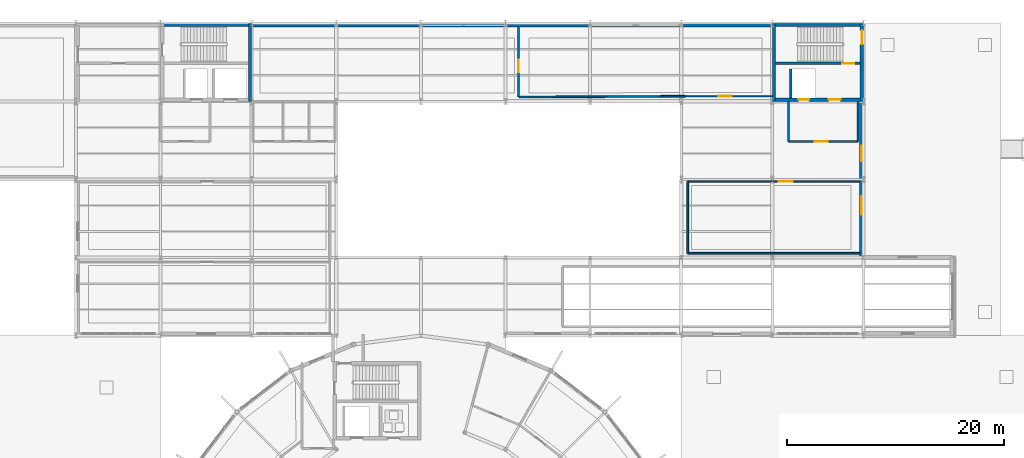
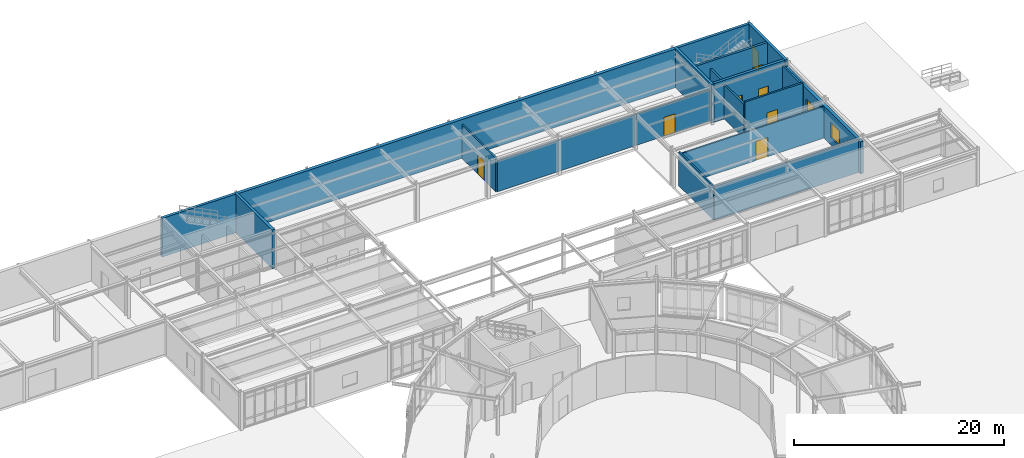
# One storey, part 87 of 101: 19 walls, 8 doors, 2 windows, 10 openings.
"""IFC4 building model written with IfcOpenShell, lengths in metres."""

from ifc_helpers import new_model, si_unit, derived_unit, direction, frame, frame_2d, origin, place, context, subcontext, project, spatial, rectangle, extrude, material, layer, layer_set, type_object, element, fill, save


model = new_model("IFC4")

# Units and contexts
model_context = context("Model", 3, precision=1e-05, world=origin(), true_north=direction((0.0, 1.0)))
body_context = subcontext(model_context, "Body", "Model", "MODEL_VIEW")
ifc_project = project(units=[si_unit("LENGTHUNIT", "METRE"), si_unit("AREAUNIT", "SQUARE_METRE"), si_unit("VOLUMEUNIT", "CUBIC_METRE"), si_unit("PLANEANGLEUNIT", "RADIAN"), si_unit("MASSUNIT", "GRAM", prefix="KILO"), derived_unit("THERMALTRANSMITTANCEUNIT", [(si_unit("POWERUNIT", "WATT"), 1), (si_unit("AREAUNIT", "SQUARE_METRE"), -1), (si_unit("THERMODYNAMICTEMPERATUREUNIT", "KELVIN"), -1)])], contexts=[model_context])

# Site, building, storey
site_placement = place(None, origin())
site = spatial("IfcSite", under=ifc_project, at=site_placement, CompositionType="ELEMENT")
building_placement = place(site_placement, origin())
building = spatial("IfcBuilding", under=site, at=building_placement, Name="Yasenodar Specialist Clinic", CompositionType="ELEMENT")
storey_placement = place(building_placement, origin())
storey = spatial("IfcBuildingStorey", under=building, at=storey_placement, Name="L00", CompositionType="ELEMENT", Elevation=0.0)

# Wall, openings, windows
ifc_material_1 = material(Name="Buff Architectural Terracotta Rainscreen", Category="masonry")
ifc_layer_1 = layer(ifc_material_1, 0.340087890625)
ifc_layer_set_1 = layer_set([ifc_layer_1], Name="Buff Architectural Terracotta Rainscreen")
wall_type_1 = type_object("IfcWallType", Name="EW-TERR-340", PredefinedType="SOLIDWALL", material=ifc_layer_set_1)
wall_1_placement = place(storey_placement, frame((121.6298828125, 104.39990234375, 0.0), z_axis=(0.0, 0.0, 1.0), x_axis=(0.0, -1.0, 0.0)))
wall_1 = element("IfcWall", 1, at=wall_1_placement, inside=storey, type_object=wall_type_1, Name="L00 Exterior Facade Wall 0166", PredefinedType="SOLIDWALL", context=body_context, shape_type="SweptSolid", body=[
    extrude(rectangle(XDim=14.39990234375, YDim=0.340087890625, at=frame_2d((7.199951171875, 0.0))), origin(), (0.0, 0.0, 1.0), 3.72802734375),
])
opening_1_placement = place(wall_1_placement, frame((4.10009765625, 0.0, 0.85009765625)))
opening_1 = element("IfcOpeningElement", 2, at=opening_1_placement, cuts=wall_1, Name="Opening W-11", PredefinedType="OPENING", context=body_context, shape_type="SweptSolid", body=[
    extrude(rectangle(XDim=1.39990234375, YDim=1.64990234375, at=frame_2d((0.699951171875, 0.824951171875))), frame((0.0, 0.18017578125, 0.0), z_axis=(0.0, -1.0, 0.0), x_axis=(1.0, 0.0, 0.0)), (0.0, 0.0, 1.0), 0.360107421875),
])
opening_2_placement = place(wall_1_placement, frame((8.75, 0.0, 0.85009765625)))
opening_2 = element("IfcOpeningElement", 3, at=opening_2_placement, cuts=wall_1, Name="Opening W-12", PredefinedType="OPENING", context=body_context, shape_type="SweptSolid", body=[
    extrude(rectangle(XDim=1.699951171875, YDim=1.75, at=frame_2d((0.85009765625, 0.875))), frame((0.0, 0.18017578125, 0.0), z_axis=(0.0, -1.0, 0.0), x_axis=(1.0, 0.0, 0.0)), (0.0, 0.0, 1.0), 0.360107421875),
])
ifc_material_2 = material(Name="Triple Low-E Argon Glazing in Bronze Aluminium Frame", Category="aluminium")
window_type_1 = type_object("IfcWindowType", Name="WIN-EXT-11", PartitioningType="SINGLE_PANEL", PredefinedType="WINDOW", material=ifc_material_2)
window_1_placement = place(opening_1_placement, origin())
window_1 = element("IfcWindow", 4, at=window_1_placement, inside=storey, type_object=window_type_1, Name="L00 Triple-Glazed Reveal Window 0182", OverallHeight=1.64990234375, OverallWidth=1.39990234375, PartitioningType="SINGLE_PANEL", PredefinedType="WINDOW", context=body_context, shape_type="SweptSolid", body=[
    extrude(rectangle(XDim=1.39990234375, YDim=1.64990234375, at=frame_2d((0.699951171875, 0.824951171875))), frame((0.0, 0.030029296875, 0.0), z_axis=(0.0, -1.0, 0.0), x_axis=(1.0, 0.0, 0.0)), (0.0, 0.0, 1.0), 0.06005859375),
])
fill(opening_1, window_1)
window_type_2 = type_object("IfcWindowType", Name="WIN-EXT-12", PartitioningType="SINGLE_PANEL", PredefinedType="WINDOW", material=ifc_material_2)
window_2_placement = place(opening_2_placement, origin())
window_2 = element("IfcWindow", 5, at=window_2_placement, inside=storey, type_object=window_type_2, Name="L00 Triple-Glazed Reveal Window 0183", OverallHeight=1.75, OverallWidth=1.699951171875, PartitioningType="SINGLE_PANEL", PredefinedType="WINDOW", context=body_context, shape_type="SweptSolid", body=[
    extrude(rectangle(XDim=1.699951171875, YDim=1.75, at=frame_2d((0.85009765625, 0.875))), frame((0.0, 0.030029296875, 0.0), z_axis=(0.0, -1.0, 0.0), x_axis=(1.0, 0.0, 0.0)), (0.0, 0.0, 1.0), 0.06005859375),
])
fill(opening_2, window_2)

# Wall, opening, door
ifc_material_3 = material(Name="Outpatient Examination Partition")
ifc_layer_2 = layer(ifc_material_3, 0.14990234375)
ifc_layer_set_2 = layer_set([ifc_layer_2], Name="Outpatient Examination Partition")
wall_type_2 = type_object("IfcWallType", Name="IW-CONS-150", PredefinedType="PARTITIONING", material=ifc_layer_set_2)
wall_2_placement = place(storey_placement, frame((105.60009765625, 97.0, 0.0), z_axis=(0.0, 0.0, 1.0), x_axis=(1.0, 0.0, 0.0)))
wall_2 = element("IfcWall", 6, at=wall_2_placement, inside=storey, type_object=wall_type_2, Name="L00 Laboratory Specimen Receiving Suite Partition", PredefinedType="PARTITIONING", context=body_context, shape_type="SweptSolid", body=[
    extrude(rectangle(XDim=15.8798828125, YDim=0.14990234375, at=frame_2d((7.93994140625, 0.0))), origin(), (0.0, 0.0, 1.0), 3.677978515625),
])
opening_3_placement = place(wall_2_placement, frame((8.39990234375, 0.0, 0.0)))
opening_3 = element("IfcOpeningElement", 7, at=opening_3_placement, cuts=wall_2, Name="Opening D-08", PredefinedType="OPENING", context=body_context, shape_type="SweptSolid", body=[
    extrude(rectangle(XDim=1.280029296875, YDim=2.219970703125, at=frame_2d((0.64013671875, 1.10986328125))), frame((0.0, 0.0849609375, 0.0), z_axis=(0.0, -1.0, 0.0), x_axis=(1.0, 0.0, 0.0)), (0.0, 0.0, 1.0), 0.169921875),
])
ifc_material_4 = material(Name="Powder-Coated Steel and Acoustic Laminate Leaf", Category="steel")
door_type_1 = type_object("IfcDoorType", Name="DR-CLN-128", OperationType="NOTDEFINED", PredefinedType="DOOR", material=ifc_material_4)
door_1_placement = place(opening_3_placement, origin())
door_1 = element("IfcDoor", 8, at=door_1_placement, inside=storey, type_object=door_type_1, Name="L00 Laboratory Specimen Receiving Suite Door", OperationType="SINGLE_SWING_LEFT", OverallHeight=2.219970703125, OverallWidth=1.280029296875, PredefinedType="DOOR", context=body_context, shape_type="SweptSolid", body=[
    extrude(rectangle(XDim=1.280029296875, YDim=2.219970703125, at=frame_2d((0.64013671875, 1.10986328125))), frame((0.0, 0.02490234375, 0.0), z_axis=(0.0, -1.0, 0.0), x_axis=(1.0, 0.0, 0.0)), (0.0, 0.0, 1.0), 0.050048828125),
])
fill(opening_3, door_1)

# Walls
wall_3_placement = place(storey_placement, frame((105.60009765625, 90.39990234375, 0.0), z_axis=(0.0, 0.0, 1.0), x_axis=(0.0, 1.0, 0.0)))
element("IfcWall", 9, at=wall_3_placement, inside=storey, type_object=wall_type_2, Name="L00 Laboratory Specimen Receiving Suite Partition", PredefinedType="PARTITIONING", context=body_context, shape_type="SweptSolid", body=[
    extrude(rectangle(XDim=6.60009765625, YDim=0.14990234375, at=frame_2d((3.300048828125, 0.0))), origin(), (0.0, 0.0, 1.0), 3.927978515625),
])
wall_4_placement = place(storey_placement, frame((121.47998046875, 90.39990234375, 0.0), z_axis=(0.0, 0.0, 1.0), x_axis=(-1.0, 0.0, 0.0)))
element("IfcWall", 10, at=wall_4_placement, inside=storey, type_object=wall_type_2, Name="L00 Laboratory Specimen Receiving Suite Partition", PredefinedType="PARTITIONING", context=body_context, shape_type="SweptSolid", body=[
    extrude(rectangle(XDim=15.8798828125, YDim=0.14990234375, at=frame_2d((7.93994140625, 0.0))), origin(), (0.0, 0.0, 1.0), 3.93798828125),
])

# Wall, opening, door
ifc_material_5 = material(Name="Acoustic Double-Gypsum Consulting Partition")
ifc_layer_3 = layer(ifc_material_5, 0.159912109375)
ifc_layer_set_3 = layer_set([ifc_layer_3], Name="Acoustic Double-Gypsum Consulting Partition")
wall_type_3 = type_object("IfcWallType", Name="IW-CONS-160", PredefinedType="PARTITIONING", material=ifc_layer_set_3)
wall_5_placement = place(storey_placement, frame((113.419921875, 104.8701171875, 0.0), z_axis=(0.0, 0.0, 1.0), x_axis=(-1.0, 0.0, 0.0)))
wall_5 = element("IfcWall", 11, at=wall_5_placement, inside=storey, type_object=wall_type_3, Name="L00 Medical Archive and Records Store Partition", PredefinedType="PARTITIONING", context=body_context, shape_type="SweptSolid", body=[
    extrude(rectangle(XDim=8.0400390625, YDim=0.159912109375, at=frame_2d((4.02001953125, 0.0))), origin(), (0.0, 0.0, 1.0), 3.6279296875),
])
opening_4_placement = place(wall_5_placement, frame((3.780029296875, 0.0, 0.0)))
opening_4 = element("IfcOpeningElement", 12, at=opening_4_placement, cuts=wall_5, Name="Opening D-07", PredefinedType="OPENING", context=body_context, shape_type="SweptSolid", body=[
    extrude(rectangle(XDim=1.239990234375, YDim=2.199951171875, at=frame_2d((0.6201171875, 1.10009765625))), frame((0.0, 0.08984375, 0.0), z_axis=(0.0, -1.0, 0.0), x_axis=(1.0, 0.0, 0.0)), (0.0, 0.0, 1.0), 0.179931640625),
])
door_type_2 = type_object("IfcDoorType", Name="DR-CLN-124", OperationType="NOTDEFINED", PredefinedType="DOOR", material=ifc_material_4)
door_2_placement = place(opening_4_placement, origin())
door_2 = element("IfcDoor", 13, at=door_2_placement, inside=storey, type_object=door_type_2, Name="L00 Medical Archive and Records Store Door", OperationType="SINGLE_SWING_RIGHT", OverallHeight=2.199951171875, OverallWidth=1.239990234375, PredefinedType="DOOR", context=body_context, shape_type="SweptSolid", body=[
    extrude(rectangle(XDim=1.239990234375, YDim=2.199951171875, at=frame_2d((0.6201171875, 1.10009765625))), frame((0.0, 0.02490234375, 0.0), z_axis=(0.0, -1.0, 0.0), x_axis=(1.0, 0.0, 0.0)), (0.0, 0.0, 1.0), 0.050048828125),
])
fill(opening_4, door_2)

# Wall
wall_6_placement = place(storey_placement, frame((105.3798828125, 104.8701171875, 0.0), z_axis=(0.0, 0.0, 1.0), x_axis=(-0.99998879208, -0.004734523693, 0.0)))
element("IfcWall", 14, at=wall_6_placement, inside=storey, type_object=wall_type_3, Name="L00 Medical Archive and Records Store Partition", PredefinedType="PARTITIONING", context=body_context, shape_type="SweptSolid", body=[
    extrude(rectangle(XDim=15.315185546875, YDim=0.159912109375, at=frame_2d((7.65771484375, 0.0))), origin(), (0.0, 0.0, 1.0), 3.6279296875),
])

# Wall, opening, door
ifc_material_6 = material(Name="Cleanroom Laboratory Partition")
ifc_layer_4 = layer(ifc_material_6, 0.169921875)
ifc_layer_set_4 = layer_set([ifc_layer_4], Name="Cleanroom Laboratory Partition")
wall_type_4 = type_object("IfcWallType", Name="IW-LAB-170", PredefinedType="PARTITIONING", material=ifc_layer_set_4)
wall_7_placement = place(storey_placement, frame((90.0, 111.27001953125, 0.0), z_axis=(0.0, 0.0, 1.0), x_axis=(0.0, -1.0, 0.0)))
wall_7 = element("IfcWall", 15, at=wall_7_placement, inside=storey, type_object=wall_type_4, Name="L00 Clean Clinical Instrument Store Partition", PredefinedType="PARTITIONING", context=body_context, shape_type="SweptSolid", body=[
    extrude(rectangle(XDim=6.469970703125, YDim=0.169921875, at=frame_2d((3.23486328125, 0.0))), origin(), (0.0, 0.0, 1.0), 3.927978515625),
])
opening_5_placement = place(wall_7_placement, frame((3.02001953125, 0.0, 0.0)))
opening_5 = element("IfcOpeningElement", 16, at=opening_5_placement, cuts=wall_7, Name="Opening D-06", PredefinedType="OPENING", context=body_context, shape_type="SweptSolid", body=[
    extrude(rectangle(XDim=1.179931640625, YDim=2.199951171875, at=frame_2d((0.58984375, 1.10009765625))), frame((0.0, 0.094970703125, 0.0), z_axis=(0.0, -1.0, 0.0), x_axis=(1.0, 0.0, 0.0)), (0.0, 0.0, 1.0), 0.18994140625),
])
door_type_3 = type_object("IfcDoorType", Name="DR-CLN-118", OperationType="NOTDEFINED", PredefinedType="DOOR", material=ifc_material_4)
door_3_placement = place(opening_5_placement, origin())
door_3 = element("IfcDoor", 17, at=door_3_placement, inside=storey, type_object=door_type_3, Name="L00 Clean Clinical Instrument Store Door", OperationType="SINGLE_SWING_LEFT", OverallHeight=2.199951171875, OverallWidth=1.179931640625, PredefinedType="DOOR", context=body_context, shape_type="SweptSolid", body=[
    extrude(rectangle(XDim=1.179931640625, YDim=2.199951171875, at=frame_2d((0.58984375, 1.10009765625))), frame((0.0, 0.02490234375, 0.0), z_axis=(0.0, -1.0, 0.0), x_axis=(1.0, 0.0, 0.0)), (0.0, 0.0, 1.0), 0.050048828125),
])
fill(opening_5, door_3)

ifc_material_7 = material(Name="Fire-Rated Gypsum and Mineral-Wool Wall")
ifc_layer_5 = layer(ifc_material_7, 0.195068359375)
ifc_layer_set_5 = layer_set([ifc_layer_5], Name="Fire-Rated Gypsum and Mineral-Wool Wall")
wall_type_5 = type_object("IfcWallType", Name="IW-LOBBY-195", PredefinedType="PARTITIONING", material=ifc_layer_set_5)
wall_8_placement = place(storey_placement, frame((114.89990234375, 100.699951171875, 0.0), z_axis=(0.0, 0.0, 1.0), x_axis=(1.0, 0.0, 0.0)))
wall_8 = element("IfcWall", 18, at=wall_8_placement, inside=storey, type_object=wall_type_5, Name="L00 C5 Firefighting Lobby South Wall", PredefinedType="PARTITIONING", context=body_context, shape_type="SweptSolid", body=[
    extrude(rectangle(XDim=6.400146484375, YDim=0.195068359375, at=frame_2d((3.2001953125, 0.0))), origin(), (0.0, 0.0, 1.0), 4.22998046875),
])
opening_6_placement = place(wall_8_placement, frame((2.39990234375, 0.0, 0.0)))
opening_6 = element("IfcOpeningElement", 19, at=opening_6_placement, cuts=wall_8, Name="Opening FD-02", PredefinedType="OPENING", context=body_context, shape_type="SweptSolid", body=[
    extrude(rectangle(XDim=1.199951171875, YDim=2.14990234375, at=frame_2d((0.60009765625, 1.074951171875))), frame((0.0, 0.107421875, 0.0), z_axis=(0.0, -1.0, 0.0), x_axis=(1.0, 0.0, 0.0)), (0.0, 0.0, 1.0), 0.215087890625),
])
ifc_material_8 = material(Name="Fire-Rated Insulated Steel Door", Category="steel")
door_type_4 = type_object("IfcDoorType", Name="DR-FD-120", OperationType="NOTDEFINED", PredefinedType="DOOR", material=ifc_material_8)
door_4_placement = place(opening_6_placement, origin())
door_4 = element("IfcDoor", 20, at=door_4_placement, inside=storey, type_object=door_type_4, Name="L00 C5 Firefighting Lobby Door", OperationType="SINGLE_SWING_RIGHT", OverallHeight=2.14990234375, OverallWidth=1.199951171875, PredefinedType="DOOR", context=body_context, shape_type="SweptSolid", body=[
    extrude(rectangle(XDim=1.199951171875, YDim=2.14990234375, at=frame_2d((0.60009765625, 1.074951171875))), frame((0.0, 0.02490234375, 0.0), z_axis=(0.0, -1.0, 0.0), x_axis=(1.0, 0.0, 0.0)), (0.0, 0.0, 1.0), 0.050048828125),
])
fill(opening_6, door_4)

# Walls
for number, where, z_axis, x_axis, name in (
    (21, (121.300048828125, 100.699951171875, 0.0), (0.0, 0.0, 1.0), (0.0, 1.0, 0.0), "L00 C5 Firefighting Lobby East Wall"),
    (22, (114.89990234375, 100.699951171875, 0.0), (0.0, 0.0, 1.0), (0.0, 1.0, 0.0), "L00 C5 Firefighting Lobby West Wall"),
):
    element("IfcWall", number, at=place(storey_placement, frame(where, z_axis=z_axis, x_axis=x_axis)), inside=storey, type_object=wall_type_5, Name=name, PredefinedType="PARTITIONING", context=body_context, shape_type="SweptSolid", body=[
        extrude(rectangle(XDim=3.699951171875, YDim=0.195068359375, at=frame_2d((1.85009765625, 0.0))), origin(), (0.0, 0.0, 1.0), 3.9580078125),
    ])
ifc_material_9 = material(Name="Aerated Concrete Blockwork Fire Shaft Wall", Category="masonry")
ifc_layer_6 = layer(ifc_material_9, 0.205078125)
ifc_layer_set_6 = layer_set([ifc_layer_6], Name="Aerated Concrete Blockwork Fire Shaft Wall")
wall_type_6 = type_object("IfcWallType", Name="IW-SHAFT-205", PredefinedType="PARTITIONING", material=ifc_layer_set_6)
wall_9_placement = place(storey_placement, frame((115.10009765625, 104.699951171875, 0.0), z_axis=(0.0, 0.0, 1.0), x_axis=(0.0, 1.0, 0.0)))
element("IfcWall", 23, at=wall_9_placement, inside=storey, type_object=wall_type_6, Name="L00 LF-08 Lift Shaft Side Wall", PredefinedType="PARTITIONING", context=body_context, shape_type="SweptSolid", body=[
    extrude(rectangle(XDim=2.699951171875, YDim=0.205078125, at=frame_2d((1.35009765625, 0.0))), origin(), (0.0, 0.0, 1.0), 3.9580078125),
])

# Wall, opening, door
ifc_material_10 = material(Name="Concrete C35/45", Category="concrete")
ifc_layer_7 = layer(ifc_material_10, 0.25)
ifc_layer_set_7 = layer_set([ifc_layer_7], Name="Concrete C35/45")
wall_type_7 = type_object("IfcWallType", Name="WL-CORE-250", PredefinedType="SHEAR", material=ifc_layer_set_7)
wall_10_placement = place(storey_placement, frame((113.699951171875, 107.89990234375, 0.0), z_axis=(0.0, 0.0, 1.0), x_axis=(1.0, 0.0, 0.0)))
wall_10 = element("IfcWall", 24, at=wall_10_placement, inside=storey, type_object=wall_type_7, Name="L00 Core C5 Central Spine Wall", PredefinedType="SHEAR", context=body_context, shape_type="SweptSolid", body=[
    extrude(rectangle(XDim=7.800048828125, YDim=0.25, at=frame_2d((3.89990234375, 0.0))), origin(), (0.0, 0.0, 1.0), 4.5),
])
opening_7_placement = place(wall_10_placement, frame((6.14990234375, 0.0, 0.0)))
opening_7 = element("IfcOpeningElement", 25, at=opening_7_placement, cuts=wall_10, Name="Opening FD-01", PredefinedType="OPENING", context=body_context, shape_type="SweptSolid", body=[
    extrude(rectangle(XDim=1.10009765625, YDim=2.14990234375, at=frame_2d((0.550048828125, 1.074951171875))), frame((0.0, 0.135009765625, 0.0), z_axis=(0.0, -1.0, 0.0), x_axis=(1.0, 0.0, 0.0)), (0.0, 0.0, 1.0), 0.27001953125),
])
door_type_5 = type_object("IfcDoorType", Name="DR-FD-110", OperationType="NOTDEFINED", PredefinedType="DOOR", material=ifc_material_8)
door_5_placement = place(opening_7_placement, origin())
door_5 = element("IfcDoor", 26, at=door_5_placement, inside=storey, type_object=door_type_5, Name="L00 ST-05 Protected Stair Door", OperationType="SINGLE_SWING_RIGHT", OverallHeight=2.14990234375, OverallWidth=1.10009765625, PredefinedType="DOOR", context=body_context, shape_type="SweptSolid", body=[
    extrude(rectangle(XDim=1.10009765625, YDim=2.14990234375, at=frame_2d((0.550048828125, 1.074951171875))), frame((0.0, 0.02490234375, 0.0), z_axis=(0.0, -1.0, 0.0), x_axis=(1.0, 0.0, 0.0)), (0.0, 0.0, 1.0), 0.050048828125),
])
fill(opening_7, door_5)

# Walls
ifc_layer_8 = layer(ifc_material_10, 0.300048828125)
ifc_layer_set_8 = layer_set([ifc_layer_8], Name="Concrete C35/45")
wall_type_8 = type_object("IfcWallType", Name="WL-CORE-300", PredefinedType="SHEAR", material=ifc_layer_set_8)
wall_11_placement = place(storey_placement, frame((57.0, 111.449951171875, 0.0), z_axis=(0.0, 0.0, 1.0), x_axis=(1.0, 0.0, 0.0)))
element("IfcWall", 27, at=wall_11_placement, inside=storey, type_object=wall_type_8, Name="L00 Core C4 North Shear Wall", PredefinedType="SHEAR", context=body_context, shape_type="SweptSolid", body=[
    extrude(rectangle(XDim=8.39990234375, YDim=0.300048828125, at=frame_2d((4.199951171875, 0.0))), origin(), (0.0, 0.0, 1.0), 4.5),
])
wall_12_placement = place(storey_placement, frame((65.25, 104.39990234375, 0.0), z_axis=(0.0, 0.0, 1.0), x_axis=(0.0, 1.0, 0.0)))
element("IfcWall", 28, at=wall_12_placement, inside=storey, type_object=wall_type_8, Name="L00 Core C4 East Shear Wall", PredefinedType="SHEAR", context=body_context, shape_type="SweptSolid", body=[
    extrude(rectangle(XDim=7.2001953125, YDim=0.300048828125, at=frame_2d((3.60009765625, 0.0))), origin(), (0.0, 0.0, 1.0), 4.5),
])
wall_13_placement = place(storey_placement, frame((113.39990234375, 111.449951171875, 0.0), z_axis=(0.0, 0.0, 1.0), x_axis=(1.0, 0.0, 0.0)))
element("IfcWall", 29, at=wall_13_placement, inside=storey, type_object=wall_type_8, Name="L00 Core C5 North Shear Wall", PredefinedType="SHEAR", context=body_context, shape_type="SweptSolid", body=[
    extrude(rectangle(XDim=8.400146484375, YDim=0.300048828125, at=frame_2d((4.2001953125, 0.0))), origin(), (0.0, 0.0, 1.0), 4.5),
])

# Wall, openings, doors
wall_14_placement = place(storey_placement, frame((113.39990234375, 104.550048828125, 0.0), z_axis=(0.0, 0.0, 1.0), x_axis=(1.0, 0.0, 0.0)))
wall_14 = element("IfcWall", 30, at=wall_14_placement, inside=storey, type_object=wall_type_8, Name="L00 Core C5 South Shear Wall", PredefinedType="SHEAR", context=body_context, shape_type="SweptSolid", body=[
    extrude(rectangle(XDim=8.400146484375, YDim=0.300048828125, at=frame_2d((4.2001953125, 0.0))), origin(), (0.0, 0.0, 1.0), 4.5),
])
opening_8_placement = place(wall_14_placement, frame((5.199951171875, 0.0, 0.0)))
opening_8 = element("IfcOpeningElement", 31, at=opening_8_placement, cuts=wall_14, Name="Opening FD-01", PredefinedType="OPENING", context=body_context, shape_type="SweptSolid", body=[
    extrude(rectangle(XDim=1.10009765625, YDim=2.14990234375, at=frame_2d((0.550048828125, 1.074951171875))), frame((0.0, 0.16015625, 0.0), z_axis=(0.0, -1.0, 0.0), x_axis=(1.0, 0.0, 0.0)), (0.0, 0.0, 1.0), 0.320068359375),
])
opening_9_placement = place(wall_14_placement, frame((2.39990234375, 0.0, 0.0)))
opening_9 = element("IfcOpeningElement", 32, at=opening_9_placement, cuts=wall_14, Name="Opening LD-01", PredefinedType="OPENING", context=body_context, shape_type="SweptSolid", body=[
    extrude(rectangle(XDim=1.0, YDim=2.10009765625, at=frame_2d((0.5, 1.050048828125))), frame((0.0, 0.16015625, 0.0), z_axis=(0.0, -1.0, 0.0), x_axis=(1.0, 0.0, 0.0)), (0.0, 0.0, 1.0), 0.320068359375),
])
door_6_placement = place(opening_8_placement, origin())
door_6 = element("IfcDoor", 33, at=door_6_placement, inside=storey, type_object=door_type_5, Name="L00 Stair ST-05 Vestibule Door", OperationType="SINGLE_SWING_LEFT", OverallHeight=2.14990234375, OverallWidth=1.10009765625, PredefinedType="DOOR", context=body_context, shape_type="SweptSolid", body=[
    extrude(rectangle(XDim=1.10009765625, YDim=2.14990234375, at=frame_2d((0.550048828125, 1.074951171875))), frame((0.0, 0.02490234375, 0.0), z_axis=(0.0, -1.0, 0.0), x_axis=(1.0, 0.0, 0.0)), (0.0, 0.0, 1.0), 0.050048828125),
])
fill(opening_8, door_6)
door_type_6 = type_object("IfcDoorType", Name="DR-LD-100", OperationType="DOUBLE_DOOR_SLIDING", PredefinedType="DOOR", material=ifc_material_8)
door_7_placement = place(opening_9_placement, origin())
door_7 = element("IfcDoor", 34, at=door_7_placement, inside=storey, type_object=door_type_6, Name="L00 LF-08 Lift Landing Door", OperationType="DOUBLE_DOOR_SLIDING", OverallHeight=2.10009765625, OverallWidth=1.0, PredefinedType="DOOR", context=body_context, shape_type="SweptSolid", body=[
    extrude(rectangle(XDim=1.0, YDim=2.10009765625, at=frame_2d((0.5, 1.050048828125))), frame((0.0, 0.02490234375, 0.0), z_axis=(0.0, -1.0, 0.0), x_axis=(1.0, 0.0, 0.0)), (0.0, 0.0, 1.0), 0.050048828125),
])
fill(opening_9, door_7)

# Wall
wall_15_placement = place(storey_placement, frame((113.550048828125, 104.39990234375, 0.0), z_axis=(0.0, 0.0, 1.0), x_axis=(0.0, 1.0, 0.0)))
element("IfcWall", 35, at=wall_15_placement, inside=storey, type_object=wall_type_8, Name="L00 Core C5 West Shear Wall", PredefinedType="SHEAR", context=body_context, shape_type="SweptSolid", body=[
    extrude(rectangle(XDim=7.2001953125, YDim=0.300048828125, at=frame_2d((3.60009765625, 0.0))), origin(), (0.0, 0.0, 1.0), 4.5),
])

# Wall, opening, door
wall_16_placement = place(storey_placement, frame((121.64990234375, 111.60009765625, 0.0), z_axis=(0.0, 0.0, 1.0), x_axis=(0.0, -1.0, 0.0)))
wall_16 = element("IfcWall", 36, at=wall_16_placement, inside=storey, type_object=wall_type_8, Name="L00 Core C5 East Shear Wall", PredefinedType="SHEAR", context=body_context, shape_type="SweptSolid", body=[
    extrude(rectangle(XDim=7.2001953125, YDim=0.300048828125, at=frame_2d((3.60009765625, 0.0))), origin(), (0.0, 0.0, 1.0), 4.5),
])
opening_10_placement = place(wall_16_placement, frame((0.64990234375, 0.0, 0.0)))
opening_10 = element("IfcOpeningElement", 37, at=opening_10_placement, cuts=wall_16, Name="Opening EX-01", PredefinedType="OPENING", context=body_context, shape_type="SweptSolid", body=[
    extrude(rectangle(XDim=1.300048828125, YDim=2.25, at=frame_2d((0.64990234375, 1.125))), frame((0.0, 0.16015625, 0.0), z_axis=(0.0, -1.0, 0.0), x_axis=(1.0, 0.0, 0.0)), (0.0, 0.0, 1.0), 0.320068359375),
])
ifc_material_11 = material(Name="Thermally Broken Bronze Anodized Aluminium and Laminated Glass", Category="aluminium")
door_type_7 = type_object("IfcDoorType", Name="DR-EX-130", OperationType="NOTDEFINED", PredefinedType="DOOR", material=ifc_material_11)
door_8_placement = place(opening_10_placement, origin())
door_8 = element("IfcDoor", 38, at=door_8_placement, inside=storey, type_object=door_type_7, Name="L00 Stair ST-05 Direct Garden Final Exit EX-05", OperationType="SINGLE_SWING_LEFT", OverallHeight=2.25, OverallWidth=1.300048828125, PredefinedType="DOOR", context=body_context, shape_type="SweptSolid", body=[
    extrude(rectangle(XDim=1.300048828125, YDim=2.25, at=frame_2d((0.64990234375, 1.125))), frame((0.0, 0.02490234375, 0.0), z_axis=(0.0, -1.0, 0.0), x_axis=(1.0, 0.0, 0.0)), (0.0, 0.0, 1.0), 0.050048828125),
])
fill(opening_10, door_8)

# Wall
ifc_layer_9 = layer(ifc_material_10, 0.35009765625)
ifc_layer_set_9 = layer_set([ifc_layer_9], Name="Concrete C35/45")
wall_type_9 = type_object("IfcWallType", Name="WL-PARTY-350", PredefinedType="SHEAR", material=ifc_layer_set_9)
wall_17_placement = place(storey_placement, frame((65.39990234375, 111.425048828125, 0.0), z_axis=(0.0, 0.0, 1.0), x_axis=(1.0, 0.0, 0.0)))
element("IfcWall", 39, at=wall_17_placement, inside=storey, type_object=wall_type_9, Name="L00 Northern Party Wall Segment 3", PredefinedType="SHEAR", context=body_context, shape_type="SweptSolid", body=[
    extrude(rectangle(XDim=48.0, YDim=0.35009765625, at=frame_2d((24.0, 0.0))), origin(), (0.0, 0.0, 1.0), 4.5),
])

save(model, "model.ifc")
